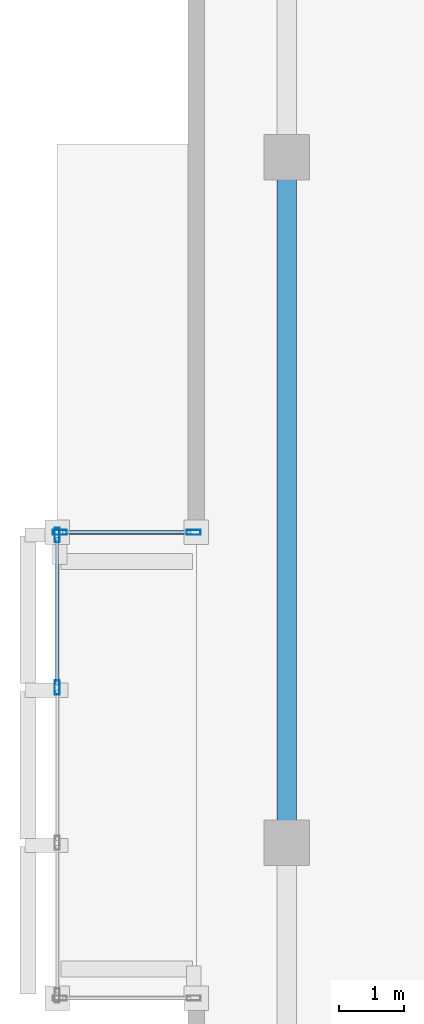
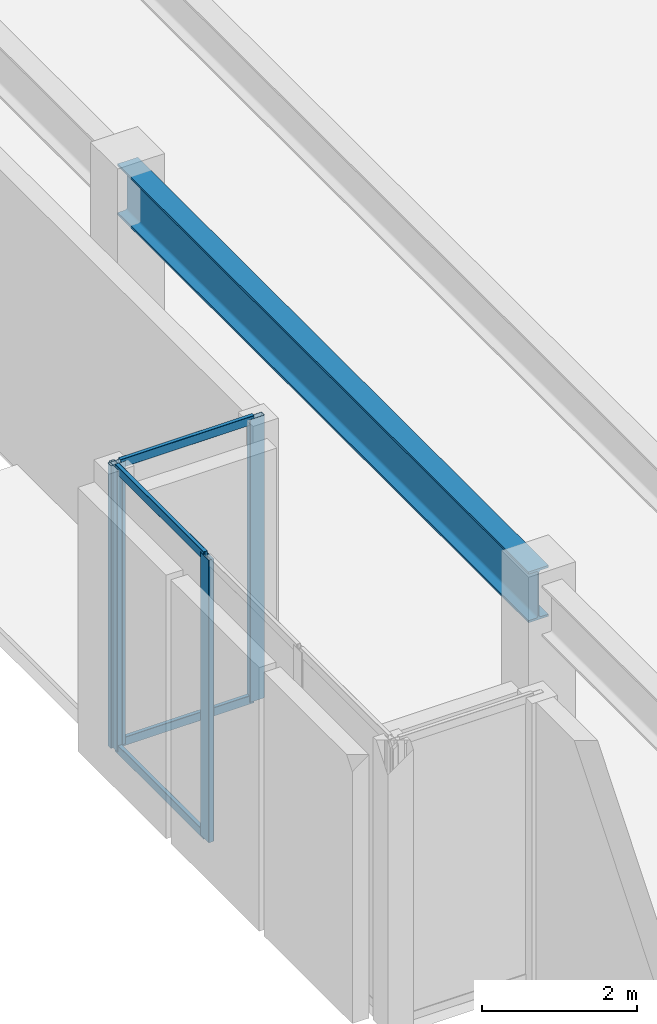
# One storey, part 4 of 15: 8 members, 1 beam, 2 elements without a shape of their own.
"""IFC4 building model written with IfcOpenShell, lengths in metres."""

from ifc_helpers import new_model, si_unit, direction, frame, origin, origin_2d, place, context, subcontext, project, spatial, hollow_rectangle, i_section, extrude, material, layer, layer_set, material_profile, profile_set, type_object, element, aggregate, save


model = new_model("IFC4")

# Units and contexts
model_context = context("Model", 3, precision=1e-05, world=origin(), true_north=direction((0.0, 1.0)))
body_context = subcontext(model_context, "Body", "Model", "MODEL_VIEW")
ifc_project = project(units=[si_unit("LENGTHUNIT", "METRE"), si_unit("AREAUNIT", "SQUARE_METRE"), si_unit("VOLUMEUNIT", "CUBIC_METRE"), si_unit("PLANEANGLEUNIT", "RADIAN"), si_unit("MASSUNIT", "GRAM", prefix="KILO")], contexts=[model_context])

# Site, building, storey
site_placement = place(None, origin())
site = spatial("IfcSite", under=ifc_project, at=site_placement, CompositionType="ELEMENT")
building_placement = place(site_placement, origin())
building = spatial("IfcBuilding", under=site, at=building_placement, Name="An Khanh Terracotta Commons", CompositionType="ELEMENT")
storey_placement = place(building_placement, frame((0.0, 0.0, 14.699951171875)))
storey = spatial("IfcBuildingStorey", under=building, at=storey_placement, Name="L04", CompositionType="ELEMENT", Elevation=14.699951171875)

# Beam
ifc_material_1 = material(Name="Steel S355J2", Category="steel")
ifc_material_profile_1 = material_profile(ifc_material_1, i_section(OverallWidth=0.300048828125, OverallDepth=0.800048828125, WebThickness=0.017578125, FlangeThickness=0.032958984375, FilletRadius=0.030029296875, at=origin_2d()), Name="HEB800")
ifc_profile_set_1 = profile_set([ifc_material_profile_1], Name="Steel S355J2")
beam_type = type_object("IfcBeamType", Name="BM-HEB800", PredefinedType="BEAM", material=ifc_profile_set_1)
beam_placement = place(storey_placement, frame((3.0, 14.39990234375, 4.050048828125), z_axis=(0.0, 1.0, 0.0), x_axis=(-1.0, 0.0, 0.0)))
element("IfcBeam", 1, at=beam_placement, inside=storey, type_object=beam_type, Name="L04 Primary Podium Girder 2", PredefinedType="BEAM", context=body_context, shape_type="SweptSolid", body=[
    extrude(i_section(OverallWidth=0.300048828125, OverallDepth=0.800048828125, WebThickness=0.017578125, FlangeThickness=0.032958984375, FilletRadius=0.030029296875, at=origin_2d()), origin(), (0.0, 0.0, 1.0), 10.60009765625),
])

# Curtain wall, members
ifc_material_2 = material(Name="Anodised Aluminium 6063-T6", Category="aluminium")
ifc_layer = layer(ifc_material_2, 0.239990234375, Name="Anodised Aluminium 6063-T6")
ifc_layer_set = layer_set([ifc_layer], Name="Anodised Aluminium 6063-T6")
curtain_wall_type = type_object("IfcCurtainWallType", Name="CW-SYS-04", PredefinedType="USERDEFINED", material=ifc_layer_set)
curtain_wall_1_placement = place(storey_placement, origin())
curtain_wall_1 = element("IfcCurtainWall", 2, at=curtain_wall_1_placement, inside=storey, type_object=curtain_wall_type, Name="L04 CW-04 Unitised Curtain Wall CW-L04-WBOX-1", ObjectType="UNITISED CURTAIN WALL", PredefinedType="USERDEFINED")
ifc_material_profile_2 = material_profile(ifc_material_2, hollow_rectangle(XDim=0.080078125, YDim=0.219970703125, WallThickness=0.0048828125, InnerFilletRadius=0.0048828125, OuterFilletRadius=0.010009765625, at=origin_2d()), Name="RHS220x80x5")
ifc_profile_set_2 = profile_set([ifc_material_profile_2], Name="Anodised Aluminium 6063-T6")
member_type_1 = type_object("IfcMemberType", Name="CWM-RHS220x80x5", PredefinedType="MULLION", material=ifc_profile_set_2)
member_1_placement = place(storey_placement, frame((-0.550048828125, 19.159912109375, 0.0), z_axis=(0.0, 0.0, 1.0), x_axis=(1.0, 0.0, 0.0)))
member_1 = element("IfcMember", 3, at=member_1_placement, type_object=member_type_1, Name="CW-04 mullion 1", PredefinedType="MULLION", context=body_context, shape_type="SweptSolid", body=[
    extrude(hollow_rectangle(XDim=0.080078125, YDim=0.219970703125, WallThickness=0.0048828125, InnerFilletRadius=0.0048828125, OuterFilletRadius=0.010009765625, at=origin_2d()), origin(), (0.0, 0.0, 1.0), 4.449951171875),
])
member_2_placement = place(storey_placement, frame((-0.550048828125, 16.800048828125, 0.0), z_axis=(0.0, 0.0, 1.0), x_axis=(1.0, 0.0, 0.0)))
member_2 = element("IfcMember", 4, at=member_2_placement, type_object=member_type_1, Name="CW-04 mullion 2", PredefinedType="MULLION", context=body_context, shape_type="SweptSolid", body=[
    extrude(hollow_rectangle(XDim=0.080078125, YDim=0.219970703125, WallThickness=0.0048828125, InnerFilletRadius=0.0048828125, OuterFilletRadius=0.010009765625, at=origin_2d()), origin(), (0.0, 0.0, 1.0), 4.449951171875),
])

curtain_wall_2_placement = place(storey_placement, origin())
curtain_wall_2 = element("IfcCurtainWall", 5, at=curtain_wall_2_placement, inside=storey, type_object=curtain_wall_type, Name="L04 CW-04 Unitised Curtain Wall CW-L04-WBOX-3", ObjectType="UNITISED CURTAIN WALL", PredefinedType="USERDEFINED")
member_3_placement = place(storey_placement, frame((-0.510009765625, 19.199951171875, 0.0), z_axis=(0.0, 0.0, 1.0), x_axis=(0.0, 1.0, 0.0)))
member_3 = element("IfcMember", 6, at=member_3_placement, type_object=member_type_1, Name="CW-04 mullion 1", PredefinedType="MULLION", context=body_context, shape_type="SweptSolid", body=[
    extrude(hollow_rectangle(XDim=0.080078125, YDim=0.219970703125, WallThickness=0.0048828125, InnerFilletRadius=0.0048828125, OuterFilletRadius=0.010009765625, at=origin_2d()), origin(), (0.0, 0.0, 1.0), 4.449951171875),
])
member_4_placement = place(storey_placement, frame((1.56005859375, 19.199951171875, 0.0), z_axis=(0.0, 0.0, 1.0), x_axis=(0.0, 1.0, 0.0)))
member_4 = element("IfcMember", 7, at=member_4_placement, type_object=member_type_1, Name="CW-04 mullion 2", PredefinedType="MULLION", context=body_context, shape_type="SweptSolid", body=[
    extrude(hollow_rectangle(XDim=0.080078125, YDim=0.219970703125, WallThickness=0.0048828125, InnerFilletRadius=0.0048828125, OuterFilletRadius=0.010009765625, at=origin_2d()), origin(), (0.0, 0.0, 1.0), 4.449951171875),
])

# Member
ifc_material_profile_3 = material_profile(ifc_material_2, hollow_rectangle(XDim=0.06005859375, YDim=0.135009765625, WallThickness=0.003662109375, InnerFilletRadius=0.003662109375, OuterFilletRadius=0.007080078125, at=origin_2d()), Name="RHS135x60x3.6")
ifc_profile_set_3 = profile_set([ifc_material_profile_3], Name="Anodised Aluminium 6063-T6")
member_type_2 = type_object("IfcMemberType", Name="CWT-RHS135x60x3.6", PredefinedType="USERDEFINED", material=ifc_profile_set_3)
member_5_placement = place(storey_placement, frame((-0.550048828125, 19.1201171875, 0.030029296875), z_axis=(0.0, -1.0, 0.0), x_axis=(1.0, 0.0, 0.0)))
member_5 = element("IfcMember", 8, at=member_5_placement, type_object=member_type_2, Name="CW-04 transom 1.1", ObjectType="TRANSOM", PredefinedType="USERDEFINED", context=body_context, shape_type="SweptSolid", body=[
    extrude(hollow_rectangle(XDim=0.06005859375, YDim=0.135009765625, WallThickness=0.003662109375, InnerFilletRadius=0.003662109375, OuterFilletRadius=0.007080078125, at=origin_2d()), origin(), (0.0, 0.0, 1.0), 2.280029296875),
])

member_6_placement = place(storey_placement, frame((-0.550048828125, 19.1201171875, 4.420166015625), z_axis=(0.0, -1.0, 0.0), x_axis=(1.0, 0.0, 0.0)))
member_6 = element("IfcMember", 9, at=member_6_placement, type_object=member_type_2, Name="CW-04 transom 1.2", ObjectType="TRANSOM", PredefinedType="USERDEFINED", context=body_context, shape_type="SweptSolid", body=[
    extrude(hollow_rectangle(XDim=0.06005859375, YDim=0.135009765625, WallThickness=0.003662109375, InnerFilletRadius=0.003662109375, OuterFilletRadius=0.007080078125, at=origin_2d()), origin(), (0.0, 0.0, 1.0), 2.280029296875),
])

aggregate(curtain_wall_1, [member_1, member_2, member_5, member_6])

member_7_placement = place(storey_placement, frame((-0.469970703125, 19.199951171875, 0.030029296875), z_axis=(1.0, 0.0, 0.0), x_axis=(0.0, 1.0, 0.0)))
member_7 = element("IfcMember", 10, at=member_7_placement, type_object=member_type_2, Name="CW-04 transom 1.1", ObjectType="TRANSOM", PredefinedType="USERDEFINED", context=body_context, shape_type="SweptSolid", body=[
    extrude(hollow_rectangle(XDim=0.06005859375, YDim=0.135009765625, WallThickness=0.003662109375, InnerFilletRadius=0.003662109375, OuterFilletRadius=0.007080078125, at=origin_2d()), origin(), (0.0, 0.0, 1.0), 1.989990234375),
])

member_8_placement = place(storey_placement, frame((-0.469970703125, 19.199951171875, 4.420166015625), z_axis=(1.0, 0.0, 0.0), x_axis=(0.0, 1.0, 0.0)))
member_8 = element("IfcMember", 11, at=member_8_placement, type_object=member_type_2, Name="CW-04 transom 1.2", ObjectType="TRANSOM", PredefinedType="USERDEFINED", context=body_context, shape_type="SweptSolid", body=[
    extrude(hollow_rectangle(XDim=0.06005859375, YDim=0.135009765625, WallThickness=0.003662109375, InnerFilletRadius=0.003662109375, OuterFilletRadius=0.007080078125, at=origin_2d()), origin(), (0.0, 0.0, 1.0), 1.989990234375),
])

aggregate(curtain_wall_2, [member_3, member_4, member_7, member_8])

save(model, "model.ifc")
